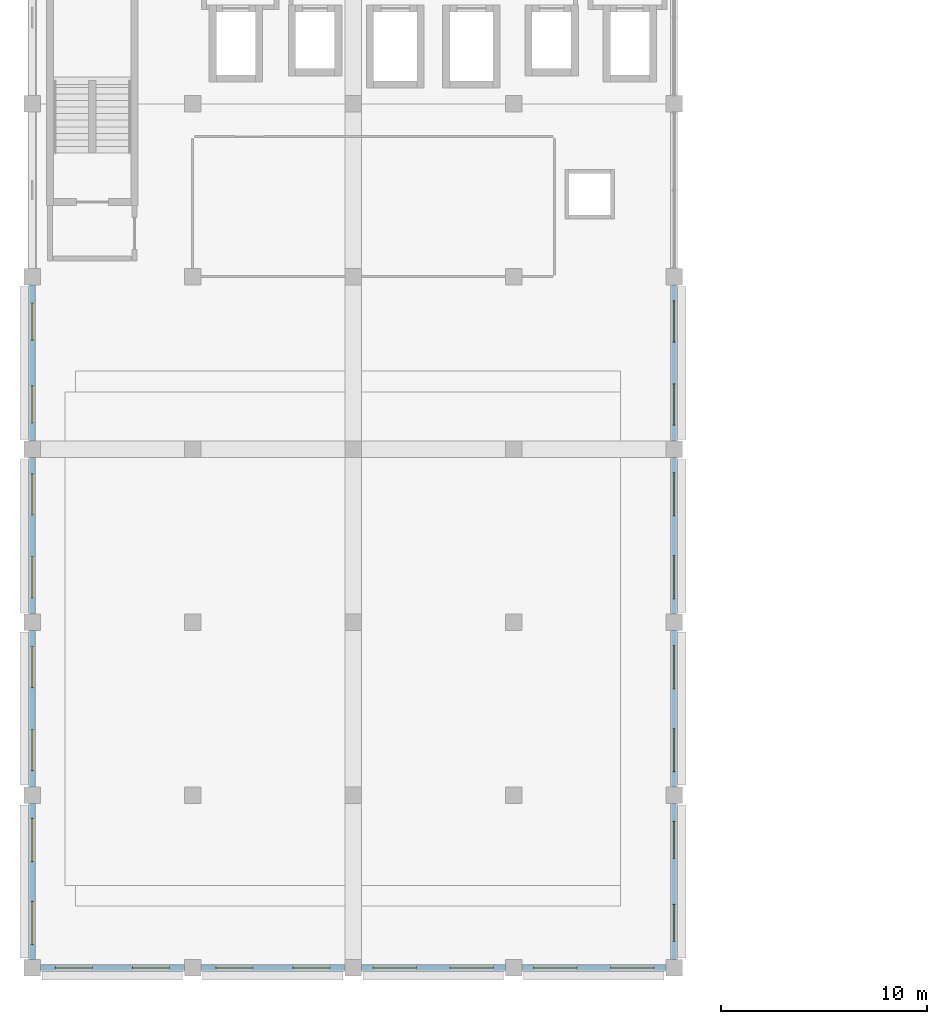
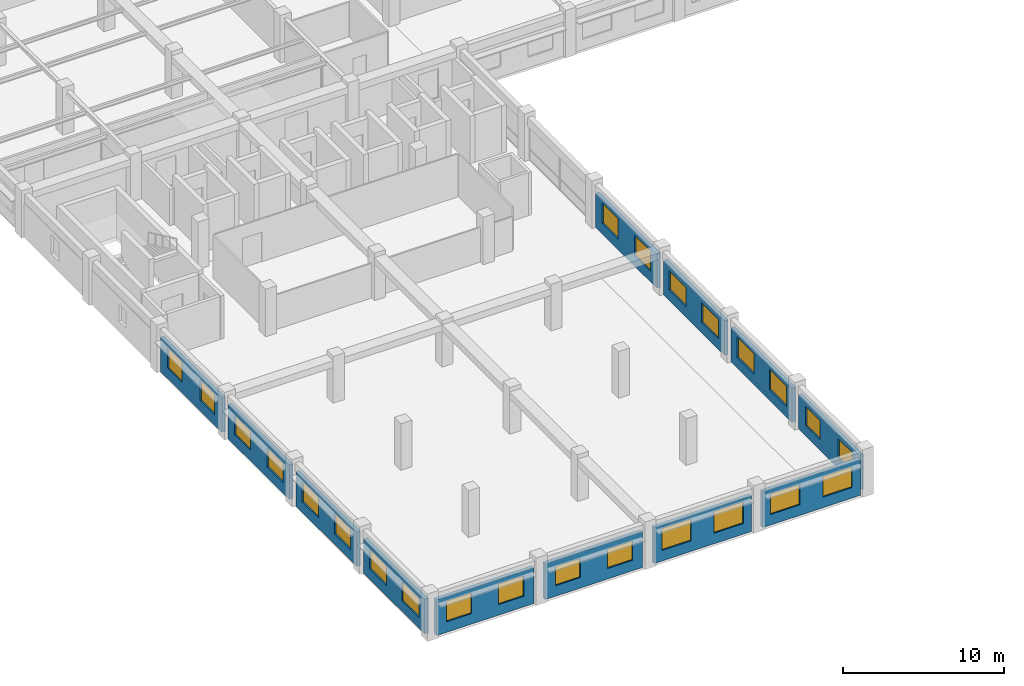
# One storey, part 35 of 50: 24 windows, 12 walls, 24 openings.
"""IFC4 building model written with IfcOpenShell, lengths in metres."""

from ifc_helpers import new_model, si_unit, direction, frame, frame_2d, origin, place, context, subcontext, project, spatial, rectangle, extrude, material, layer, layer_set, type_object, element, fill, save


model = new_model("IFC4")

# Units and contexts
model_context = context("Model", 3, precision=1e-05, world=origin(), true_north=direction((0.0, 1.0)))
body_context = subcontext(model_context, "Body", "Model", "MODEL_VIEW")
ifc_project = project(units=[si_unit("LENGTHUNIT", "METRE"), si_unit("AREAUNIT", "SQUARE_METRE"), si_unit("VOLUMEUNIT", "CUBIC_METRE"), si_unit("PLANEANGLEUNIT", "RADIAN"), si_unit("MASSUNIT", "GRAM", prefix="KILO"), si_unit("THERMODYNAMICTEMPERATUREUNIT", "KELVIN"), si_unit("POWERUNIT", "WATT")], contexts=[model_context])

# Site, building, storey
site_placement = place(None, origin())
site = spatial("IfcSite", under=ifc_project, at=site_placement, CompositionType="ELEMENT")
building_placement = place(site_placement, origin())
building = spatial("IfcBuilding", under=site, at=building_placement, Name="Srebrne Nadtorze General Hospital", CompositionType="ELEMENT")
storey_placement = place(building_placement, frame((0.0, 0.0, 14.39990234375)))
storey = spatial("IfcBuildingStorey", under=building, at=storey_placement, Name="L03", CompositionType="ELEMENT", Elevation=14.39990234375)

# Wall, openings, windows
ifc_material_1 = material(Name="Concrete C35/45 precast", Category="concrete")
ifc_layer = layer(ifc_material_1, 0.260009765625)
ifc_layer_set = layer_set([ifc_layer], Name="Concrete C35/45 precast")
wall_type = type_object("IfcWallType", Name="Spandrel wall 260", PredefinedType="STANDARD", material=ifc_layer_set)
wall_1_placement = place(storey_placement, frame((23.800048828125, 0.0, 0.0), z_axis=(0.0, 0.0, 1.0), x_axis=(1.0, 0.0, 0.0)))
wall_1 = element("IfcWall", 1, at=wall_1_placement, inside=storey, type_object=wall_type, Name="Exterior wall WL-ENV-L03-0282", PredefinedType="STANDARD", context=body_context, shape_type="SweptSolid", body=[
    extrude(rectangle(XDim=7.0, YDim=0.260009765625, at=frame_2d((3.5, 0.0))), origin(), (0.0, 0.0, 1.0), 2.72021484375),
])
opening_1_placement = place(wall_1_placement, frame((0.72802734375, 0.0, 0.800048828125)))
opening_1 = element("IfcOpeningElement", 2, at=opening_1_placement, cuts=wall_1, Name="Opening WN-L03-0385", PredefinedType="OPENING", context=body_context, shape_type="SweptSolid", body=[
    extrude(rectangle(XDim=1.800048828125, YDim=1.550048828125, at=frame_2d((0.89990234375, 0.77490234375))), frame((0.0, 0.14208984375, 0.0), z_axis=(0.0, -1.0, 0.0), x_axis=(1.0, 0.0, 0.0)), (0.0, 0.0, 1.0), 0.283935546875),
])
opening_2_placement = place(wall_1_placement, frame((4.471923828125, 0.0, 0.800048828125)))
opening_2 = element("IfcOpeningElement", 3, at=opening_2_placement, cuts=wall_1, Name="Opening WN-L03-0386", PredefinedType="OPENING", context=body_context, shape_type="SweptSolid", body=[
    extrude(rectangle(XDim=1.800048828125, YDim=1.550048828125, at=frame_2d((0.89990234375, 0.77490234375))), frame((0.0, 0.14208984375, 0.0), z_axis=(0.0, -1.0, 0.0), x_axis=(1.0, 0.0, 0.0)), (0.0, 0.0, 1.0), 0.283935546875),
])
ifc_material_2 = material(Name="Triple Low-E Glazing", Category="glass")
window_type_1 = type_object("IfcWindowType", Name="Punched clinical window 1800x1550", PartitioningType="DOUBLE_PANEL_VERTICAL", PredefinedType="WINDOW", material=ifc_material_2)
window_1_placement = place(opening_1_placement, origin())
window_1 = element("IfcWindow", 4, at=window_1_placement, inside=storey, type_object=window_type_1, Name="Clinical window WN-L03-0385", OverallHeight=1.550048828125, OverallWidth=1.800048828125, PartitioningType="DOUBLE_PANEL_VERTICAL", PredefinedType="WINDOW", context=body_context, shape_type="SweptSolid", body=[
    extrude(rectangle(XDim=1.800048828125, YDim=1.550048828125, at=frame_2d((0.89990234375, 0.77490234375))), frame((0.0, 0.030029296875, 0.0), z_axis=(0.0, -1.0, 0.0), x_axis=(1.0, 0.0, 0.0)), (0.0, 0.0, 1.0), 0.06005859375),
])
fill(opening_1, window_1)
window_2_placement = place(opening_2_placement, origin())
window_2 = element("IfcWindow", 5, at=window_2_placement, inside=storey, type_object=window_type_1, Name="Clinical window WN-L03-0386", OverallHeight=1.550048828125, OverallWidth=1.800048828125, PartitioningType="DOUBLE_PANEL_VERTICAL", PredefinedType="WINDOW", context=body_context, shape_type="SweptSolid", body=[
    extrude(rectangle(XDim=1.800048828125, YDim=1.550048828125, at=frame_2d((0.89990234375, 0.77490234375))), frame((0.0, 0.030029296875, 0.0), z_axis=(0.0, -1.0, 0.0), x_axis=(1.0, 0.0, 0.0)), (0.0, 0.0, 1.0), 0.06005859375),
])
fill(opening_2, window_2)

wall_2_placement = place(storey_placement, frame((31.60009765625, 0.0, 0.0), z_axis=(0.0, 0.0, 1.0), x_axis=(1.0, 0.0, 0.0)))
wall_2 = element("IfcWall", 6, at=wall_2_placement, inside=storey, type_object=wall_type, Name="Exterior wall WL-ENV-L03-0283", PredefinedType="STANDARD", context=body_context, shape_type="SweptSolid", body=[
    extrude(rectangle(XDim=7.0, YDim=0.260009765625, at=frame_2d((3.5, 0.0))), origin(), (0.0, 0.0, 1.0), 2.72021484375),
])
opening_3_placement = place(wall_2_placement, frame((0.72802734375, 0.0, 0.800048828125)))
opening_3 = element("IfcOpeningElement", 7, at=opening_3_placement, cuts=wall_2, Name="Opening WN-L03-0387", PredefinedType="OPENING", context=body_context, shape_type="SweptSolid", body=[
    extrude(rectangle(XDim=1.800048828125, YDim=1.449951171875, at=frame_2d((0.89990234375, 0.72509765625))), frame((0.0, 0.14208984375, 0.0), z_axis=(0.0, -1.0, 0.0), x_axis=(1.0, 0.0, 0.0)), (0.0, 0.0, 1.0), 0.283935546875),
])
opening_4_placement = place(wall_2_placement, frame((4.471923828125, 0.0, 0.800048828125)))
opening_4 = element("IfcOpeningElement", 8, at=opening_4_placement, cuts=wall_2, Name="Opening WN-L03-0388", PredefinedType="OPENING", context=body_context, shape_type="SweptSolid", body=[
    extrude(rectangle(XDim=1.800048828125, YDim=1.449951171875, at=frame_2d((0.89990234375, 0.72509765625))), frame((0.0, 0.14208984375, 0.0), z_axis=(0.0, -1.0, 0.0), x_axis=(1.0, 0.0, 0.0)), (0.0, 0.0, 1.0), 0.283935546875),
])
ifc_material_3 = material(Name="Triple Low-E Glazing", Category="glass")
window_type_2 = type_object("IfcWindowType", Name="Punched clinical window 1800x1450", PartitioningType="DOUBLE_PANEL_VERTICAL", PredefinedType="WINDOW", material=ifc_material_3)
window_3_placement = place(opening_3_placement, origin())
window_3 = element("IfcWindow", 9, at=window_3_placement, inside=storey, type_object=window_type_2, Name="Clinical window WN-L03-0387", OverallHeight=1.449951171875, OverallWidth=1.800048828125, PartitioningType="DOUBLE_PANEL_VERTICAL", PredefinedType="WINDOW", context=body_context, shape_type="SweptSolid", body=[
    extrude(rectangle(XDim=1.800048828125, YDim=1.449951171875, at=frame_2d((0.89990234375, 0.72509765625))), frame((0.0, 0.030029296875, 0.0), z_axis=(0.0, -1.0, 0.0), x_axis=(1.0, 0.0, 0.0)), (0.0, 0.0, 1.0), 0.06005859375),
])
fill(opening_3, window_3)
window_4_placement = place(opening_4_placement, origin())
window_4 = element("IfcWindow", 10, at=window_4_placement, inside=storey, type_object=window_type_2, Name="Clinical window WN-L03-0388", OverallHeight=1.449951171875, OverallWidth=1.800048828125, PartitioningType="DOUBLE_PANEL_VERTICAL", PredefinedType="WINDOW", context=body_context, shape_type="SweptSolid", body=[
    extrude(rectangle(XDim=1.800048828125, YDim=1.449951171875, at=frame_2d((0.89990234375, 0.72509765625))), frame((0.0, 0.030029296875, 0.0), z_axis=(0.0, -1.0, 0.0), x_axis=(1.0, 0.0, 0.0)), (0.0, 0.0, 1.0), 0.06005859375),
])
fill(opening_4, window_4)

wall_3_placement = place(storey_placement, frame((39.39990234375, 0.0, 0.0), z_axis=(0.0, 0.0, 1.0), x_axis=(1.0, 0.0, 0.0)))
wall_3 = element("IfcWall", 11, at=wall_3_placement, inside=storey, type_object=wall_type, Name="Exterior wall WL-ENV-L03-0284", PredefinedType="STANDARD", context=body_context, shape_type="SweptSolid", body=[
    extrude(rectangle(XDim=7.0, YDim=0.260009765625, at=frame_2d((3.5, 0.0))), origin(), (0.0, 0.0, 1.0), 2.72021484375),
])
opening_5_placement = place(wall_3_placement, frame((0.577880859375, 0.0, 0.800048828125)))
opening_5 = element("IfcOpeningElement", 12, at=opening_5_placement, cuts=wall_3, Name="Opening WN-L03-0389", PredefinedType="OPENING", context=body_context, shape_type="SweptSolid", body=[
    extrude(rectangle(XDim=2.10009765625, YDim=1.64990234375, at=frame_2d((1.050048828125, 0.824951171875))), frame((0.0, 0.14208984375, 0.0), z_axis=(0.0, -1.0, 0.0), x_axis=(1.0, 0.0, 0.0)), (0.0, 0.0, 1.0), 0.283935546875),
])
opening_6_placement = place(wall_3_placement, frame((4.322021484375, 0.0, 0.800048828125)))
opening_6 = element("IfcOpeningElement", 13, at=opening_6_placement, cuts=wall_3, Name="Opening WN-L03-0390", PredefinedType="OPENING", context=body_context, shape_type="SweptSolid", body=[
    extrude(rectangle(XDim=2.10009765625, YDim=1.64990234375, at=frame_2d((1.050048828125, 0.824951171875))), frame((0.0, 0.14208984375, 0.0), z_axis=(0.0, -1.0, 0.0), x_axis=(1.0, 0.0, 0.0)), (0.0, 0.0, 1.0), 0.283935546875),
])
ifc_material_4 = material(Name="Triple Low-E Glazing", Category="glass")
window_type_3 = type_object("IfcWindowType", Name="Punched clinical window 2100x1650", PartitioningType="DOUBLE_PANEL_VERTICAL", PredefinedType="WINDOW", material=ifc_material_4)
window_5_placement = place(opening_5_placement, origin())
window_5 = element("IfcWindow", 14, at=window_5_placement, inside=storey, type_object=window_type_3, Name="Clinical window WN-L03-0389", OverallHeight=1.64990234375, OverallWidth=2.10009765625, PartitioningType="DOUBLE_PANEL_VERTICAL", PredefinedType="WINDOW", context=body_context, shape_type="SweptSolid", body=[
    extrude(rectangle(XDim=2.10009765625, YDim=1.64990234375, at=frame_2d((1.050048828125, 0.824951171875))), frame((0.0, 0.030029296875, 0.0), z_axis=(0.0, -1.0, 0.0), x_axis=(1.0, 0.0, 0.0)), (0.0, 0.0, 1.0), 0.06005859375),
])
fill(opening_5, window_5)
window_6_placement = place(opening_6_placement, origin())
window_6 = element("IfcWindow", 15, at=window_6_placement, inside=storey, type_object=window_type_3, Name="Clinical window WN-L03-0390", OverallHeight=1.64990234375, OverallWidth=2.10009765625, PartitioningType="DOUBLE_PANEL_VERTICAL", PredefinedType="WINDOW", context=body_context, shape_type="SweptSolid", body=[
    extrude(rectangle(XDim=2.10009765625, YDim=1.64990234375, at=frame_2d((1.050048828125, 0.824951171875))), frame((0.0, 0.030029296875, 0.0), z_axis=(0.0, -1.0, 0.0), x_axis=(1.0, 0.0, 0.0)), (0.0, 0.0, 1.0), 0.06005859375),
])
fill(opening_6, window_6)

wall_4_placement = place(storey_placement, frame((47.199951171875, 0.0, 0.0), z_axis=(0.0, 0.0, 1.0), x_axis=(1.0, 0.0, 0.0)))
wall_4 = element("IfcWall", 16, at=wall_4_placement, inside=storey, type_object=wall_type, Name="Exterior wall WL-ENV-L03-0285", PredefinedType="STANDARD", context=body_context, shape_type="SweptSolid", body=[
    extrude(rectangle(XDim=7.0, YDim=0.260009765625, at=frame_2d((3.5, 0.0))), origin(), (0.0, 0.0, 1.0), 2.72021484375),
])
opening_7_placement = place(wall_4_placement, frame((0.577880859375, 0.0, 0.800048828125)))
opening_7 = element("IfcOpeningElement", 17, at=opening_7_placement, cuts=wall_4, Name="Opening WN-L03-0391", PredefinedType="OPENING", context=body_context, shape_type="SweptSolid", body=[
    extrude(rectangle(XDim=2.10009765625, YDim=1.550048828125, at=frame_2d((1.050048828125, 0.77490234375))), frame((0.0, 0.14208984375, 0.0), z_axis=(0.0, -1.0, 0.0), x_axis=(1.0, 0.0, 0.0)), (0.0, 0.0, 1.0), 0.283935546875),
])
opening_8_placement = place(wall_4_placement, frame((4.322021484375, 0.0, 0.800048828125)))
opening_8 = element("IfcOpeningElement", 18, at=opening_8_placement, cuts=wall_4, Name="Opening WN-L03-0392", PredefinedType="OPENING", context=body_context, shape_type="SweptSolid", body=[
    extrude(rectangle(XDim=2.10009765625, YDim=1.550048828125, at=frame_2d((1.050048828125, 0.77490234375))), frame((0.0, 0.14208984375, 0.0), z_axis=(0.0, -1.0, 0.0), x_axis=(1.0, 0.0, 0.0)), (0.0, 0.0, 1.0), 0.283935546875),
])
ifc_material_5 = material(Name="Triple Low-E Glazing", Category="glass")
window_type_4 = type_object("IfcWindowType", Name="Punched clinical window 2100x1550", PartitioningType="DOUBLE_PANEL_VERTICAL", PredefinedType="WINDOW", material=ifc_material_5)
window_7_placement = place(opening_7_placement, origin())
window_7 = element("IfcWindow", 19, at=window_7_placement, inside=storey, type_object=window_type_4, Name="Clinical window WN-L03-0391", OverallHeight=1.550048828125, OverallWidth=2.10009765625, PartitioningType="DOUBLE_PANEL_VERTICAL", PredefinedType="WINDOW", context=body_context, shape_type="SweptSolid", body=[
    extrude(rectangle(XDim=2.10009765625, YDim=1.550048828125, at=frame_2d((1.050048828125, 0.77490234375))), frame((0.0, 0.030029296875, 0.0), z_axis=(0.0, -1.0, 0.0), x_axis=(1.0, 0.0, 0.0)), (0.0, 0.0, 1.0), 0.06005859375),
])
fill(opening_7, window_7)
window_8_placement = place(opening_8_placement, origin())
window_8 = element("IfcWindow", 20, at=window_8_placement, inside=storey, type_object=window_type_4, Name="Clinical window WN-L03-0392", OverallHeight=1.550048828125, OverallWidth=2.10009765625, PartitioningType="DOUBLE_PANEL_VERTICAL", PredefinedType="WINDOW", context=body_context, shape_type="SweptSolid", body=[
    extrude(rectangle(XDim=2.10009765625, YDim=1.550048828125, at=frame_2d((1.050048828125, 0.77490234375))), frame((0.0, 0.030029296875, 0.0), z_axis=(0.0, -1.0, 0.0), x_axis=(1.0, 0.0, 0.0)), (0.0, 0.0, 1.0), 0.06005859375),
])
fill(opening_8, window_8)

wall_5_placement = place(storey_placement, frame((23.39990234375, 0.39990234375, 0.0), z_axis=(0.0, 0.0, 1.0), x_axis=(0.0, 1.0, 0.0)))
wall_5 = element("IfcWall", 21, at=wall_5_placement, inside=storey, type_object=wall_type, Name="Exterior wall WL-ENV-L03-0314", PredefinedType="STANDARD", context=body_context, shape_type="SweptSolid", body=[
    extrude(rectangle(XDim=7.60009765625, YDim=0.260009765625, at=frame_2d((3.800048828125, 0.0))), origin(), (0.0, 0.0, 1.0), 2.6201171875),
])
opening_9_placement = place(wall_5_placement, frame((0.73388671875, 0.0, 0.800048828125)))
opening_9 = element("IfcOpeningElement", 22, at=opening_9_placement, cuts=wall_5, Name="Opening WN-L03-0447", PredefinedType="OPENING", context=body_context, shape_type="SweptSolid", body=[
    extrude(rectangle(XDim=2.10009765625, YDim=1.449951171875, at=frame_2d((1.050048828125, 0.72509765625))), frame((0.0, 0.14208984375, 0.0), z_axis=(0.0, -1.0, 0.0), x_axis=(1.0, 0.0, 0.0)), (0.0, 0.0, 1.0), 0.283935546875),
])
opening_10_placement = place(wall_5_placement, frame((4.76611328125, 0.0, 0.800048828125)))
opening_10 = element("IfcOpeningElement", 23, at=opening_10_placement, cuts=wall_5, Name="Opening WN-L03-0448", PredefinedType="OPENING", context=body_context, shape_type="SweptSolid", body=[
    extrude(rectangle(XDim=2.10009765625, YDim=1.449951171875, at=frame_2d((1.050048828125, 0.72509765625))), frame((0.0, 0.14208984375, 0.0), z_axis=(0.0, -1.0, 0.0), x_axis=(1.0, 0.0, 0.0)), (0.0, 0.0, 1.0), 0.283935546875),
])
ifc_material_6 = material(Name="Triple Low-E Glazing", Category="glass")
window_type_5 = type_object("IfcWindowType", Name="Punched clinical window 2100x1450", PartitioningType="DOUBLE_PANEL_VERTICAL", PredefinedType="WINDOW", material=ifc_material_6)
window_9_placement = place(opening_9_placement, origin())
window_9 = element("IfcWindow", 24, at=window_9_placement, inside=storey, type_object=window_type_5, Name="Clinical window WN-L03-0447", OverallHeight=1.449951171875, OverallWidth=2.10009765625, PartitioningType="DOUBLE_PANEL_VERTICAL", PredefinedType="WINDOW", context=body_context, shape_type="SweptSolid", body=[
    extrude(rectangle(XDim=2.10009765625, YDim=1.449951171875, at=frame_2d((1.050048828125, 0.72509765625))), frame((0.0, 0.030029296875, 0.0), z_axis=(0.0, -1.0, 0.0), x_axis=(1.0, 0.0, 0.0)), (0.0, 0.0, 1.0), 0.06005859375),
])
fill(opening_9, window_9)
window_10_placement = place(opening_10_placement, origin())
window_10 = element("IfcWindow", 25, at=window_10_placement, inside=storey, type_object=window_type_5, Name="Clinical window WN-L03-0448", OverallHeight=1.449951171875, OverallWidth=2.10009765625, PartitioningType="DOUBLE_PANEL_VERTICAL", PredefinedType="WINDOW", context=body_context, shape_type="SweptSolid", body=[
    extrude(rectangle(XDim=2.10009765625, YDim=1.449951171875, at=frame_2d((1.050048828125, 0.72509765625))), frame((0.0, 0.030029296875, 0.0), z_axis=(0.0, -1.0, 0.0), x_axis=(1.0, 0.0, 0.0)), (0.0, 0.0, 1.0), 0.06005859375),
])
fill(opening_10, window_10)

wall_6_placement = place(storey_placement, frame((23.39990234375, 8.800048828125, 0.0), z_axis=(0.0, 0.0, 1.0), x_axis=(0.0, 1.0, 0.0)))
wall_6 = element("IfcWall", 26, at=wall_6_placement, inside=storey, type_object=wall_type, Name="Exterior wall WL-ENV-L03-0315", PredefinedType="STANDARD", context=body_context, shape_type="SweptSolid", body=[
    extrude(rectangle(XDim=7.599853515625, YDim=0.260009765625, at=frame_2d((3.7998046875, 0.0))), origin(), (0.0, 0.0, 1.0), 2.6201171875),
])
opening_11_placement = place(wall_6_placement, frame((0.783935546875, 0.0, 0.800048828125)))
opening_11 = element("IfcOpeningElement", 27, at=opening_11_placement, cuts=wall_6, Name="Opening WN-L03-0449", PredefinedType="OPENING", context=body_context, shape_type="SweptSolid", body=[
    extrude(rectangle(XDim=2.0, YDim=1.550048828125, at=frame_2d((1.0, 0.77490234375))), frame((0.0, 0.14208984375, 0.0), z_axis=(0.0, -1.0, 0.0), x_axis=(1.0, 0.0, 0.0)), (0.0, 0.0, 1.0), 0.283935546875),
])
opening_12_placement = place(wall_6_placement, frame((4.81591796875, 0.0, 0.800048828125)))
opening_12 = element("IfcOpeningElement", 28, at=opening_12_placement, cuts=wall_6, Name="Opening WN-L03-0450", PredefinedType="OPENING", context=body_context, shape_type="SweptSolid", body=[
    extrude(rectangle(XDim=2.0, YDim=1.550048828125, at=frame_2d((1.0, 0.77490234375))), frame((0.0, 0.14208984375, 0.0), z_axis=(0.0, -1.0, 0.0), x_axis=(1.0, 0.0, 0.0)), (0.0, 0.0, 1.0), 0.283935546875),
])
ifc_material_7 = material(Name="Triple Low-E Glazing", Category="glass")
window_type_6 = type_object("IfcWindowType", Name="Punched clinical window 2000x1550", PartitioningType="DOUBLE_PANEL_VERTICAL", PredefinedType="WINDOW", material=ifc_material_7)
window_11_placement = place(opening_11_placement, origin())
window_11 = element("IfcWindow", 29, at=window_11_placement, inside=storey, type_object=window_type_6, Name="Clinical window WN-L03-0449", OverallHeight=1.550048828125, OverallWidth=2.0, PartitioningType="DOUBLE_PANEL_VERTICAL", PredefinedType="WINDOW", context=body_context, shape_type="SweptSolid", body=[
    extrude(rectangle(XDim=2.0, YDim=1.550048828125, at=frame_2d((1.0, 0.77490234375))), frame((0.0, 0.030029296875, 0.0), z_axis=(0.0, -1.0, 0.0), x_axis=(1.0, 0.0, 0.0)), (0.0, 0.0, 1.0), 0.06005859375),
])
fill(opening_11, window_11)
window_12_placement = place(opening_12_placement, origin())
window_12 = element("IfcWindow", 30, at=window_12_placement, inside=storey, type_object=window_type_6, Name="Clinical window WN-L03-0450", OverallHeight=1.550048828125, OverallWidth=2.0, PartitioningType="DOUBLE_PANEL_VERTICAL", PredefinedType="WINDOW", context=body_context, shape_type="SweptSolid", body=[
    extrude(rectangle(XDim=2.0, YDim=1.550048828125, at=frame_2d((1.0, 0.77490234375))), frame((0.0, 0.030029296875, 0.0), z_axis=(0.0, -1.0, 0.0), x_axis=(1.0, 0.0, 0.0)), (0.0, 0.0, 1.0), 0.06005859375),
])
fill(opening_12, window_12)

wall_7_placement = place(storey_placement, frame((23.39990234375, 17.199951171875, 0.0), z_axis=(0.0, 0.0, 1.0), x_axis=(0.0, 1.0, 0.0)))
wall_7 = element("IfcWall", 31, at=wall_7_placement, inside=storey, type_object=wall_type, Name="Exterior wall WL-ENV-L03-0316", PredefinedType="STANDARD", context=body_context, shape_type="SweptSolid", body=[
    extrude(rectangle(XDim=7.60009765625, YDim=0.260009765625, at=frame_2d((3.800048828125, 0.0))), origin(), (0.0, 0.0, 1.0), 2.6201171875),
])
opening_13_placement = place(wall_7_placement, frame((0.783935546875, 0.0, 0.800048828125)))
opening_13 = element("IfcOpeningElement", 32, at=opening_13_placement, cuts=wall_7, Name="Opening WN-L03-0451", PredefinedType="OPENING", context=body_context, shape_type="SweptSolid", body=[
    extrude(rectangle(XDim=2.0, YDim=1.449951171875, at=frame_2d((1.0, 0.72509765625))), frame((0.0, 0.14208984375, 0.0), z_axis=(0.0, -1.0, 0.0), x_axis=(1.0, 0.0, 0.0)), (0.0, 0.0, 1.0), 0.283935546875),
])
opening_14_placement = place(wall_7_placement, frame((4.81591796875, 0.0, 0.800048828125)))
opening_14 = element("IfcOpeningElement", 33, at=opening_14_placement, cuts=wall_7, Name="Opening WN-L03-0452", PredefinedType="OPENING", context=body_context, shape_type="SweptSolid", body=[
    extrude(rectangle(XDim=2.0, YDim=1.449951171875, at=frame_2d((1.0, 0.72509765625))), frame((0.0, 0.14208984375, 0.0), z_axis=(0.0, -1.0, 0.0), x_axis=(1.0, 0.0, 0.0)), (0.0, 0.0, 1.0), 0.283935546875),
])
ifc_material_8 = material(Name="Triple Low-E Glazing", Category="glass")
window_type_7 = type_object("IfcWindowType", Name="Punched clinical window 2000x1450", PartitioningType="DOUBLE_PANEL_VERTICAL", PredefinedType="WINDOW", material=ifc_material_8)
window_13_placement = place(opening_13_placement, origin())
window_13 = element("IfcWindow", 34, at=window_13_placement, inside=storey, type_object=window_type_7, Name="Clinical window WN-L03-0451", OverallHeight=1.449951171875, OverallWidth=2.0, PartitioningType="DOUBLE_PANEL_VERTICAL", PredefinedType="WINDOW", context=body_context, shape_type="SweptSolid", body=[
    extrude(rectangle(XDim=2.0, YDim=1.449951171875, at=frame_2d((1.0, 0.72509765625))), frame((0.0, 0.030029296875, 0.0), z_axis=(0.0, -1.0, 0.0), x_axis=(1.0, 0.0, 0.0)), (0.0, 0.0, 1.0), 0.06005859375),
])
fill(opening_13, window_13)
window_14_placement = place(opening_14_placement, origin())
window_14 = element("IfcWindow", 35, at=window_14_placement, inside=storey, type_object=window_type_7, Name="Clinical window WN-L03-0452", OverallHeight=1.449951171875, OverallWidth=2.0, PartitioningType="DOUBLE_PANEL_VERTICAL", PredefinedType="WINDOW", context=body_context, shape_type="SweptSolid", body=[
    extrude(rectangle(XDim=2.0, YDim=1.449951171875, at=frame_2d((1.0, 0.72509765625))), frame((0.0, 0.030029296875, 0.0), z_axis=(0.0, -1.0, 0.0), x_axis=(1.0, 0.0, 0.0)), (0.0, 0.0, 1.0), 0.06005859375),
])
fill(opening_14, window_14)

wall_8_placement = place(storey_placement, frame((23.39990234375, 25.60009765625, 0.0), z_axis=(0.0, 0.0, 1.0), x_axis=(0.0, 1.0, 0.0)))
wall_8 = element("IfcWall", 36, at=wall_8_placement, inside=storey, type_object=wall_type, Name="Exterior wall WL-ENV-L03-0317", PredefinedType="STANDARD", context=body_context, shape_type="SweptSolid", body=[
    extrude(rectangle(XDim=7.599853515625, YDim=0.260009765625, at=frame_2d((3.7998046875, 0.0))), origin(), (0.0, 0.0, 1.0), 2.6201171875),
])
opening_15_placement = place(wall_8_placement, frame((0.884033203125, 0.0, 0.800048828125)))
opening_15 = element("IfcOpeningElement", 37, at=opening_15_placement, cuts=wall_8, Name="Opening WN-L03-0453", PredefinedType="OPENING", context=body_context, shape_type="SweptSolid", body=[
    extrude(rectangle(XDim=1.800048828125, YDim=1.550048828125, at=frame_2d((0.89990234375, 0.77490234375))), frame((0.0, 0.14208984375, 0.0), z_axis=(0.0, -1.0, 0.0), x_axis=(1.0, 0.0, 0.0)), (0.0, 0.0, 1.0), 0.283935546875),
])
opening_16_placement = place(wall_8_placement, frame((4.916015625, 0.0, 0.800048828125)))
opening_16 = element("IfcOpeningElement", 38, at=opening_16_placement, cuts=wall_8, Name="Opening WN-L03-0454", PredefinedType="OPENING", context=body_context, shape_type="SweptSolid", body=[
    extrude(rectangle(XDim=1.800048828125, YDim=1.550048828125, at=frame_2d((0.89990234375, 0.77490234375))), frame((0.0, 0.14208984375, 0.0), z_axis=(0.0, -1.0, 0.0), x_axis=(1.0, 0.0, 0.0)), (0.0, 0.0, 1.0), 0.283935546875),
])
window_15_placement = place(opening_15_placement, origin())
window_15 = element("IfcWindow", 39, at=window_15_placement, inside=storey, type_object=window_type_1, Name="Clinical window WN-L03-0453", OverallHeight=1.550048828125, OverallWidth=1.800048828125, PartitioningType="DOUBLE_PANEL_VERTICAL", PredefinedType="WINDOW", context=body_context, shape_type="SweptSolid", body=[
    extrude(rectangle(XDim=1.800048828125, YDim=1.550048828125, at=frame_2d((0.89990234375, 0.77490234375))), frame((0.0, 0.030029296875, 0.0), z_axis=(0.0, -1.0, 0.0), x_axis=(1.0, 0.0, 0.0)), (0.0, 0.0, 1.0), 0.06005859375),
])
fill(opening_15, window_15)
window_16_placement = place(opening_16_placement, origin())
window_16 = element("IfcWindow", 40, at=window_16_placement, inside=storey, type_object=window_type_1, Name="Clinical window WN-L03-0454", OverallHeight=1.550048828125, OverallWidth=1.800048828125, PartitioningType="DOUBLE_PANEL_VERTICAL", PredefinedType="WINDOW", context=body_context, shape_type="SweptSolid", body=[
    extrude(rectangle(XDim=1.800048828125, YDim=1.550048828125, at=frame_2d((0.89990234375, 0.77490234375))), frame((0.0, 0.030029296875, 0.0), z_axis=(0.0, -1.0, 0.0), x_axis=(1.0, 0.0, 0.0)), (0.0, 0.0, 1.0), 0.06005859375),
])
fill(opening_16, window_16)

wall_9_placement = place(storey_placement, frame((54.60009765625, 0.39990234375, 0.0), z_axis=(0.0, 0.0, 1.0), x_axis=(0.0, 1.0, 0.0)))
wall_9 = element("IfcWall", 41, at=wall_9_placement, inside=storey, type_object=wall_type, Name="Exterior wall WL-ENV-L03-0325", PredefinedType="STANDARD", context=body_context, shape_type="SweptSolid", body=[
    extrude(rectangle(XDim=7.60009765625, YDim=0.260009765625, at=frame_2d((3.800048828125, 0.0))), origin(), (0.0, 0.0, 1.0), 2.6201171875),
])
opening_17_placement = place(wall_9_placement, frame((0.884033203125, 0.0, 0.800048828125)))
opening_17 = element("IfcOpeningElement", 42, at=opening_17_placement, cuts=wall_9, Name="Opening WN-L03-0465", PredefinedType="OPENING", context=body_context, shape_type="SweptSolid", body=[
    extrude(rectangle(XDim=1.800048828125, YDim=1.449951171875, at=frame_2d((0.89990234375, 0.72509765625))), frame((0.0, 0.14208984375, 0.0), z_axis=(0.0, -1.0, 0.0), x_axis=(1.0, 0.0, 0.0)), (0.0, 0.0, 1.0), 0.283935546875),
])
opening_18_placement = place(wall_9_placement, frame((4.916015625, 0.0, 0.800048828125)))
opening_18 = element("IfcOpeningElement", 43, at=opening_18_placement, cuts=wall_9, Name="Opening WN-L03-0466", PredefinedType="OPENING", context=body_context, shape_type="SweptSolid", body=[
    extrude(rectangle(XDim=1.800048828125, YDim=1.449951171875, at=frame_2d((0.89990234375, 0.72509765625))), frame((0.0, 0.14208984375, 0.0), z_axis=(0.0, -1.0, 0.0), x_axis=(1.0, 0.0, 0.0)), (0.0, 0.0, 1.0), 0.283935546875),
])
window_17_placement = place(opening_17_placement, origin())
window_17 = element("IfcWindow", 44, at=window_17_placement, inside=storey, type_object=window_type_2, Name="Clinical window WN-L03-0465", OverallHeight=1.449951171875, OverallWidth=1.800048828125, PartitioningType="DOUBLE_PANEL_VERTICAL", PredefinedType="WINDOW", context=body_context, shape_type="SweptSolid", body=[
    extrude(rectangle(XDim=1.800048828125, YDim=1.449951171875, at=frame_2d((0.89990234375, 0.72509765625))), frame((0.0, 0.030029296875, 0.0), z_axis=(0.0, -1.0, 0.0), x_axis=(1.0, 0.0, 0.0)), (0.0, 0.0, 1.0), 0.06005859375),
])
fill(opening_17, window_17)
window_18_placement = place(opening_18_placement, origin())
window_18 = element("IfcWindow", 45, at=window_18_placement, inside=storey, type_object=window_type_2, Name="Clinical window WN-L03-0466", OverallHeight=1.449951171875, OverallWidth=1.800048828125, PartitioningType="DOUBLE_PANEL_VERTICAL", PredefinedType="WINDOW", context=body_context, shape_type="SweptSolid", body=[
    extrude(rectangle(XDim=1.800048828125, YDim=1.449951171875, at=frame_2d((0.89990234375, 0.72509765625))), frame((0.0, 0.030029296875, 0.0), z_axis=(0.0, -1.0, 0.0), x_axis=(1.0, 0.0, 0.0)), (0.0, 0.0, 1.0), 0.06005859375),
])
fill(opening_18, window_18)

wall_10_placement = place(storey_placement, frame((54.60009765625, 8.800048828125, 0.0), z_axis=(0.0, 0.0, 1.0), x_axis=(0.0, 1.0, 0.0)))
wall_10 = element("IfcWall", 46, at=wall_10_placement, inside=storey, type_object=wall_type, Name="Exterior wall WL-ENV-L03-0326", PredefinedType="STANDARD", context=body_context, shape_type="SweptSolid", body=[
    extrude(rectangle(XDim=7.599853515625, YDim=0.260009765625, at=frame_2d((3.7998046875, 0.0))), origin(), (0.0, 0.0, 1.0), 2.6201171875),
])
opening_19_placement = place(wall_10_placement, frame((0.73388671875, 0.0, 0.800048828125)))
opening_19 = element("IfcOpeningElement", 47, at=opening_19_placement, cuts=wall_10, Name="Opening WN-L03-0467", PredefinedType="OPENING", context=body_context, shape_type="SweptSolid", body=[
    extrude(rectangle(XDim=2.10009765625, YDim=1.550048828125, at=frame_2d((1.050048828125, 0.77490234375))), frame((0.0, 0.14208984375, 0.0), z_axis=(0.0, -1.0, 0.0), x_axis=(1.0, 0.0, 0.0)), (0.0, 0.0, 1.0), 0.283935546875),
])
opening_20_placement = place(wall_10_placement, frame((4.76611328125, 0.0, 0.800048828125)))
opening_20 = element("IfcOpeningElement", 48, at=opening_20_placement, cuts=wall_10, Name="Opening WN-L03-0468", PredefinedType="OPENING", context=body_context, shape_type="SweptSolid", body=[
    extrude(rectangle(XDim=2.10009765625, YDim=1.550048828125, at=frame_2d((1.050048828125, 0.77490234375))), frame((0.0, 0.14208984375, 0.0), z_axis=(0.0, -1.0, 0.0), x_axis=(1.0, 0.0, 0.0)), (0.0, 0.0, 1.0), 0.283935546875),
])
window_19_placement = place(opening_19_placement, origin())
window_19 = element("IfcWindow", 49, at=window_19_placement, inside=storey, type_object=window_type_4, Name="Clinical window WN-L03-0467", OverallHeight=1.550048828125, OverallWidth=2.10009765625, PartitioningType="DOUBLE_PANEL_VERTICAL", PredefinedType="WINDOW", context=body_context, shape_type="SweptSolid", body=[
    extrude(rectangle(XDim=2.10009765625, YDim=1.550048828125, at=frame_2d((1.050048828125, 0.77490234375))), frame((0.0, 0.030029296875, 0.0), z_axis=(0.0, -1.0, 0.0), x_axis=(1.0, 0.0, 0.0)), (0.0, 0.0, 1.0), 0.06005859375),
])
fill(opening_19, window_19)
window_20_placement = place(opening_20_placement, origin())
window_20 = element("IfcWindow", 50, at=window_20_placement, inside=storey, type_object=window_type_4, Name="Clinical window WN-L03-0468", OverallHeight=1.550048828125, OverallWidth=2.10009765625, PartitioningType="DOUBLE_PANEL_VERTICAL", PredefinedType="WINDOW", context=body_context, shape_type="SweptSolid", body=[
    extrude(rectangle(XDim=2.10009765625, YDim=1.550048828125, at=frame_2d((1.050048828125, 0.77490234375))), frame((0.0, 0.030029296875, 0.0), z_axis=(0.0, -1.0, 0.0), x_axis=(1.0, 0.0, 0.0)), (0.0, 0.0, 1.0), 0.06005859375),
])
fill(opening_20, window_20)

wall_11_placement = place(storey_placement, frame((54.60009765625, 17.199951171875, 0.0), z_axis=(0.0, 0.0, 1.0), x_axis=(0.0, 1.0, 0.0)))
wall_11 = element("IfcWall", 51, at=wall_11_placement, inside=storey, type_object=wall_type, Name="Exterior wall WL-ENV-L03-0327", PredefinedType="STANDARD", context=body_context, shape_type="SweptSolid", body=[
    extrude(rectangle(XDim=7.60009765625, YDim=0.260009765625, at=frame_2d((3.800048828125, 0.0))), origin(), (0.0, 0.0, 1.0), 2.6201171875),
])
opening_21_placement = place(wall_11_placement, frame((0.73388671875, 0.0, 0.800048828125)))
opening_21 = element("IfcOpeningElement", 52, at=opening_21_placement, cuts=wall_11, Name="Opening WN-L03-0469", PredefinedType="OPENING", context=body_context, shape_type="SweptSolid", body=[
    extrude(rectangle(XDim=2.10009765625, YDim=1.449951171875, at=frame_2d((1.050048828125, 0.72509765625))), frame((0.0, 0.14208984375, 0.0), z_axis=(0.0, -1.0, 0.0), x_axis=(1.0, 0.0, 0.0)), (0.0, 0.0, 1.0), 0.283935546875),
])
opening_22_placement = place(wall_11_placement, frame((4.76611328125, 0.0, 0.800048828125)))
opening_22 = element("IfcOpeningElement", 53, at=opening_22_placement, cuts=wall_11, Name="Opening WN-L03-0470", PredefinedType="OPENING", context=body_context, shape_type="SweptSolid", body=[
    extrude(rectangle(XDim=2.10009765625, YDim=1.449951171875, at=frame_2d((1.050048828125, 0.72509765625))), frame((0.0, 0.14208984375, 0.0), z_axis=(0.0, -1.0, 0.0), x_axis=(1.0, 0.0, 0.0)), (0.0, 0.0, 1.0), 0.283935546875),
])
window_21_placement = place(opening_21_placement, origin())
window_21 = element("IfcWindow", 54, at=window_21_placement, inside=storey, type_object=window_type_5, Name="Clinical window WN-L03-0469", OverallHeight=1.449951171875, OverallWidth=2.10009765625, PartitioningType="DOUBLE_PANEL_VERTICAL", PredefinedType="WINDOW", context=body_context, shape_type="SweptSolid", body=[
    extrude(rectangle(XDim=2.10009765625, YDim=1.449951171875, at=frame_2d((1.050048828125, 0.72509765625))), frame((0.0, 0.030029296875, 0.0), z_axis=(0.0, -1.0, 0.0), x_axis=(1.0, 0.0, 0.0)), (0.0, 0.0, 1.0), 0.06005859375),
])
fill(opening_21, window_21)
window_22_placement = place(opening_22_placement, origin())
window_22 = element("IfcWindow", 55, at=window_22_placement, inside=storey, type_object=window_type_5, Name="Clinical window WN-L03-0470", OverallHeight=1.449951171875, OverallWidth=2.10009765625, PartitioningType="DOUBLE_PANEL_VERTICAL", PredefinedType="WINDOW", context=body_context, shape_type="SweptSolid", body=[
    extrude(rectangle(XDim=2.10009765625, YDim=1.449951171875, at=frame_2d((1.050048828125, 0.72509765625))), frame((0.0, 0.030029296875, 0.0), z_axis=(0.0, -1.0, 0.0), x_axis=(1.0, 0.0, 0.0)), (0.0, 0.0, 1.0), 0.06005859375),
])
fill(opening_22, window_22)

wall_12_placement = place(storey_placement, frame((54.60009765625, 25.60009765625, 0.0), z_axis=(0.0, 0.0, 1.0), x_axis=(0.0, 1.0, 0.0)))
wall_12 = element("IfcWall", 56, at=wall_12_placement, inside=storey, type_object=wall_type, Name="Exterior wall WL-ENV-L03-0328", PredefinedType="STANDARD", context=body_context, shape_type="SweptSolid", body=[
    extrude(rectangle(XDim=7.599853515625, YDim=0.260009765625, at=frame_2d((3.7998046875, 0.0))), origin(), (0.0, 0.0, 1.0), 2.6201171875),
])
opening_23_placement = place(wall_12_placement, frame((0.783935546875, 0.0, 0.800048828125)))
opening_23 = element("IfcOpeningElement", 57, at=opening_23_placement, cuts=wall_12, Name="Opening WN-L03-0471", PredefinedType="OPENING", context=body_context, shape_type="SweptSolid", body=[
    extrude(rectangle(XDim=2.0, YDim=1.550048828125, at=frame_2d((1.0, 0.77490234375))), frame((0.0, 0.14208984375, 0.0), z_axis=(0.0, -1.0, 0.0), x_axis=(1.0, 0.0, 0.0)), (0.0, 0.0, 1.0), 0.283935546875),
])
opening_24_placement = place(wall_12_placement, frame((4.81591796875, 0.0, 0.800048828125)))
opening_24 = element("IfcOpeningElement", 58, at=opening_24_placement, cuts=wall_12, Name="Opening WN-L03-0472", PredefinedType="OPENING", context=body_context, shape_type="SweptSolid", body=[
    extrude(rectangle(XDim=2.0, YDim=1.550048828125, at=frame_2d((1.0, 0.77490234375))), frame((0.0, 0.14208984375, 0.0), z_axis=(0.0, -1.0, 0.0), x_axis=(1.0, 0.0, 0.0)), (0.0, 0.0, 1.0), 0.283935546875),
])
window_23_placement = place(opening_23_placement, origin())
window_23 = element("IfcWindow", 59, at=window_23_placement, inside=storey, type_object=window_type_6, Name="Clinical window WN-L03-0471", OverallHeight=1.550048828125, OverallWidth=2.0, PartitioningType="DOUBLE_PANEL_VERTICAL", PredefinedType="WINDOW", context=body_context, shape_type="SweptSolid", body=[
    extrude(rectangle(XDim=2.0, YDim=1.550048828125, at=frame_2d((1.0, 0.77490234375))), frame((0.0, 0.030029296875, 0.0), z_axis=(0.0, -1.0, 0.0), x_axis=(1.0, 0.0, 0.0)), (0.0, 0.0, 1.0), 0.06005859375),
])
fill(opening_23, window_23)
window_24_placement = place(opening_24_placement, origin())
window_24 = element("IfcWindow", 60, at=window_24_placement, inside=storey, type_object=window_type_6, Name="Clinical window WN-L03-0472", OverallHeight=1.550048828125, OverallWidth=2.0, PartitioningType="DOUBLE_PANEL_VERTICAL", PredefinedType="WINDOW", context=body_context, shape_type="SweptSolid", body=[
    extrude(rectangle(XDim=2.0, YDim=1.550048828125, at=frame_2d((1.0, 0.77490234375))), frame((0.0, 0.030029296875, 0.0), z_axis=(0.0, -1.0, 0.0), x_axis=(1.0, 0.0, 0.0)), (0.0, 0.0, 1.0), 0.06005859375),
])
fill(opening_24, window_24)

save(model, "model.ifc")
